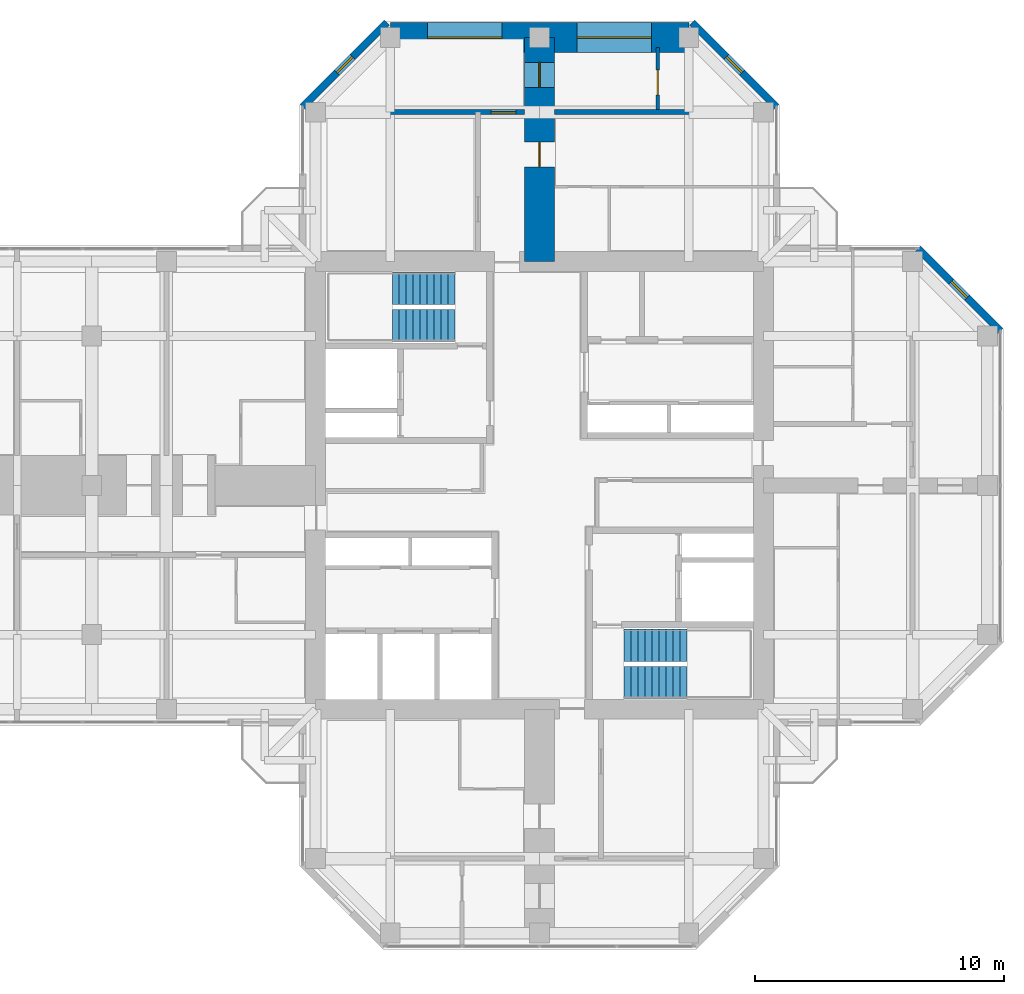
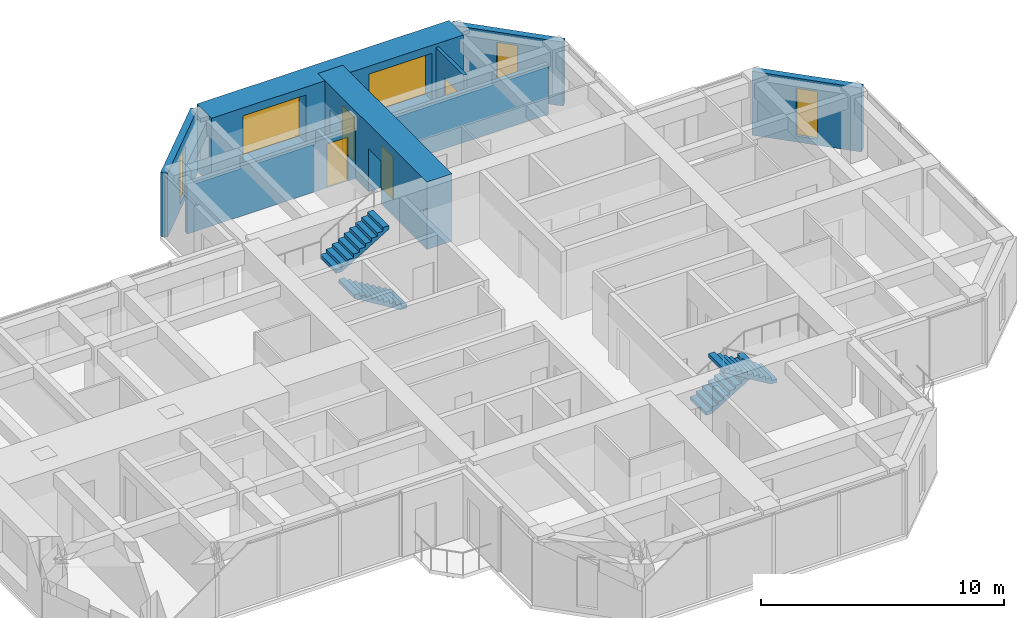
# One storey, part 12 of 13: 8 walls, 5 windows, 4 doors, 4 stair flights, 9 openings, 2 elements without a shape of their own.
"""IFC4 building model written with IfcOpenShell, lengths in metres."""

from ifc_helpers import new_model, si_unit, direction, frame, frame_2d, origin, place, context, subcontext, project, spatial, polyline, rectangle, hollow_rectangle, outline, extrude, material, layer, layer_set, constituent, constituent_set, type_object, element, fill, aggregate, save


model = new_model("IFC4")

# Units and contexts
model_context = context("Model", 3, precision=1e-05, world=origin(), true_north=direction((0.0, 1.0)))
body_context = subcontext(model_context, "Body", "Model", "MODEL_VIEW")
ifc_project = project(units=[si_unit("LENGTHUNIT", "METRE"), si_unit("AREAUNIT", "SQUARE_METRE"), si_unit("VOLUMEUNIT", "CUBIC_METRE"), si_unit("PLANEANGLEUNIT", "RADIAN"), si_unit("MASSUNIT", "GRAM", prefix="KILO")], contexts=[model_context])

# Site, building, storey
site_placement = place(None, origin())
site = spatial("IfcSite", under=ifc_project, at=site_placement, CompositionType="ELEMENT")
building_placement = place(site_placement, origin())
building = spatial("IfcBuilding", under=site, at=building_placement, Name="Torre Cruceta", CompositionType="ELEMENT")
storey_placement = place(building_placement, frame((0.0, 0.0, 242.5)))
storey = spatial("IfcBuildingStorey", under=building, at=storey_placement, Name="L62", CompositionType="ELEMENT", Elevation=242.5)

# Wall, opening, window
ifc_material_1 = material(Name="Concrete G30 (fck 30 MPa)", Category="concrete")
ifc_layer_1 = layer(ifc_material_1, 0.300048828125)
ifc_layer_set_1 = layer_set([ifc_layer_1], Name="Concrete G30 (fck 30 MPa)")
wall_type_1 = type_object("IfcWallType", Name="EXPOSED CONCRETE FACADE WALL 300", PredefinedType="SOLIDWALL", material=ifc_layer_set_1)
wall_1_placement = place(storey_placement, frame((18.52001953125, 6.21533203125, 0.0), z_axis=(0.0, 0.0, 1.0), x_axis=(-0.707106781187, 0.707106781187, 0.0)))
wall_1 = element("IfcWall", 1, at=wall_1_placement, inside=storey, type_object=wall_type_1, Name="EW1 facade wall L62 E chamfer 03", PredefinedType="SOLIDWALL", context=body_context, shape_type="SweptSolid", body=[
    extrude(rectangle(XDim=4.673583984375, YDim=0.300048828125, at=frame_2d((2.3369140625, 0.0))), origin(), (0.0, 0.0, 1.0), 3.219970703125),
])
opening_1_placement = place(wall_1_placement, frame((1.88671875, 0.0, 0.300048828125)))
opening_1 = element("IfcOpeningElement", 2, at=opening_1_placement, cuts=wall_1, Name="Opening WN5", PredefinedType="OPENING", context=body_context, shape_type="SweptSolid", body=[
    extrude(rectangle(XDim=0.89990234375, YDim=2.39990234375, at=frame_2d((0.449951171875, 1.199951171875))), frame((0.0, 0.159912109375, 0.0), z_axis=(0.0, -1.0, 0.0), x_axis=(1.0, 0.0, 0.0)), (0.0, 0.0, 1.0), 0.320068359375),
])
ifc_material_2 = material(Name="Aluminium window frame", Category="aluminium")
ifc_constituent_1 = constituent(ifc_material_2, Name="Frame")
ifc_material_3 = material(Name="Laminated insulating glass unit, low-iron clear", Category="glass")
ifc_constituent_2 = constituent(ifc_material_3, Name="Glazing")
ifc_constituent_set_1 = constituent_set(constituents=[ifc_constituent_1, ifc_constituent_2], Name="Aluminium window")
window_type_1 = type_object("IfcWindowType", Name="CHAMFER SLOT WINDOW 900X2400", PartitioningType="SINGLE_PANEL", PredefinedType="WINDOW", material=ifc_constituent_set_1)
window_1_placement = place(opening_1_placement, origin())
window_1 = element("IfcWindow", 3, at=window_1_placement, inside=storey, type_object=window_type_1, Name="WN5 L62 E 1", OverallHeight=2.39990234375, OverallWidth=0.89990234375, PartitioningType="SINGLE_PANEL", PredefinedType="WINDOW", context=body_context, shape_type="SweptSolid", body=[
    extrude(hollow_rectangle(XDim=0.89990234375, YDim=2.39990234375, WallThickness=0.06005859375, at=frame_2d((0.449951171875, 1.199951171875))), frame((0.0, 0.030029296875, 0.0), z_axis=(0.0, -1.0, 0.0), x_axis=(1.0, 0.0, 0.0)), (0.0, 0.0, 1.0), 0.06005859375),
    extrude(rectangle(XDim=0.77880859375, YDim=2.27880859375, at=frame_2d((0.449951171875, 1.199951171875))), frame((0.0, 0.030029296875, 0.0), z_axis=(0.0, -1.0, 0.0), x_axis=(1.0, 0.0, 0.0)), (0.0, 0.0, 1.0), 0.06005859375),
])
fill(opening_1, window_1)

wall_2_placement = place(storey_placement, frame((9.52001953125, 15.21533203125, 0.0), z_axis=(0.0, 0.0, 1.0), x_axis=(-0.707081278264, 0.707132283189, 0.0)))
wall_2 = element("IfcWall", 4, at=wall_2_placement, inside=storey, type_object=wall_type_1, Name="EW1 facade wall L62 N chamfer 06", PredefinedType="SOLIDWALL", context=body_context, shape_type="SweptSolid", body=[
    extrude(rectangle(XDim=4.78662109375, YDim=0.300048828125, at=frame_2d((2.393310546875, 0.0))), origin(), (0.0, 0.0, 1.0), 3.219970703125),
])
opening_2_placement = place(wall_2_placement, frame((1.943359375, 0.0, 0.300048828125)))
opening_2 = element("IfcOpeningElement", 5, at=opening_2_placement, cuts=wall_2, Name="Opening WN5", PredefinedType="OPENING", context=body_context, shape_type="SweptSolid", body=[
    extrude(rectangle(XDim=0.89990234375, YDim=2.39990234375, at=frame_2d((0.449951171875, 1.199951171875))), frame((0.0, 0.159912109375, 0.0), z_axis=(0.0, -1.0, 0.0), x_axis=(1.0, 0.0, 0.0)), (0.0, 0.0, 1.0), 0.320068359375),
])
window_2_placement = place(opening_2_placement, origin())
window_2 = element("IfcWindow", 6, at=window_2_placement, inside=storey, type_object=window_type_1, Name="WN5 L62 N 1", OverallHeight=2.39990234375, OverallWidth=0.89990234375, PartitioningType="SINGLE_PANEL", PredefinedType="WINDOW", context=body_context, shape_type="SweptSolid", body=[
    extrude(hollow_rectangle(XDim=0.89990234375, YDim=2.39990234375, WallThickness=0.06005859375, at=frame_2d((0.449951171875, 1.199951171875))), frame((0.0, 0.030029296875, 0.0), z_axis=(0.0, -1.0, 0.0), x_axis=(1.0, 0.0, 0.0)), (0.0, 0.0, 1.0), 0.06005859375),
    extrude(rectangle(XDim=0.77880859375, YDim=2.27880859375, at=frame_2d((0.449951171875, 1.199951171875))), frame((0.0, 0.030029296875, 0.0), z_axis=(0.0, -1.0, 0.0), x_axis=(1.0, 0.0, 0.0)), (0.0, 0.0, 1.0), 0.06005859375),
])
fill(opening_2, window_2)

wall_3_placement = place(storey_placement, frame((-6.135498046875, 18.60009765625, 0.0), z_axis=(0.0, 0.0, 1.0), x_axis=(-0.707081278264, -0.707132283189, 0.0)))
wall_3 = element("IfcWall", 7, at=wall_3_placement, inside=storey, type_object=wall_type_1, Name="EW1 facade wall L62 N chamfer 08", PredefinedType="SOLIDWALL", context=body_context, shape_type="SweptSolid", body=[
    extrude(rectangle(XDim=4.78662109375, YDim=0.300048828125, at=frame_2d((2.393310546875, 0.0))), origin(), (0.0, 0.0, 1.0), 3.219970703125),
])
opening_3_placement = place(wall_3_placement, frame((1.943359375, 0.0, 0.300048828125)))
opening_3 = element("IfcOpeningElement", 8, at=opening_3_placement, cuts=wall_3, Name="Opening WN5", PredefinedType="OPENING", context=body_context, shape_type="SweptSolid", body=[
    extrude(rectangle(XDim=0.89990234375, YDim=2.39990234375, at=frame_2d((0.449951171875, 1.199951171875))), frame((0.0, 0.159912109375, 0.0), z_axis=(0.0, -1.0, 0.0), x_axis=(1.0, 0.0, 0.0)), (0.0, 0.0, 1.0), 0.320068359375),
])
window_3_placement = place(opening_3_placement, origin())
window_3 = element("IfcWindow", 9, at=window_3_placement, inside=storey, type_object=window_type_1, Name="WN5 L62 N 1", OverallHeight=2.39990234375, OverallWidth=0.89990234375, PartitioningType="SINGLE_PANEL", PredefinedType="WINDOW", context=body_context, shape_type="SweptSolid", body=[
    extrude(hollow_rectangle(XDim=0.89990234375, YDim=2.39990234375, WallThickness=0.06005859375, at=frame_2d((0.449951171875, 1.199951171875))), frame((0.0, 0.030029296875, 0.0), z_axis=(0.0, -1.0, 0.0), x_axis=(1.0, 0.0, 0.0)), (0.0, 0.0, 1.0), 0.06005859375),
    extrude(rectangle(XDim=0.77880859375, YDim=2.27880859375, at=frame_2d((0.449951171875, 1.199951171875))), frame((0.0, 0.030029296875, 0.0), z_axis=(0.0, -1.0, 0.0), x_axis=(1.0, 0.0, 0.0)), (0.0, 0.0, 1.0), 0.06005859375),
])
fill(opening_3, window_3)

# Wall, openings, windows
ifc_material_4 = material(Name="Concrete G60 (fck 60 MPa)", Category="concrete")
ifc_layer_2 = layer(ifc_material_4, 1.199951171875)
ifc_layer_set_2 = layer_set([ifc_layer_2], Name="Concrete G60 (fck 60 MPa)")
wall_type_2 = type_object("IfcWallType", Name="NOSE WALL 1200 G60", PredefinedType="SHEAR", material=ifc_layer_set_2)
wall_4_placement = place(storey_placement, frame((6.0, 18.0, 0.0), z_axis=(0.0, 0.0, 1.0), x_axis=(-1.0, 0.0, 0.0)))
wall_4 = element("IfcWall", 10, at=wall_4_placement, inside=storey, type_object=wall_type_2, Name="NW1 nose wall L62 N", PredefinedType="SHEAR", context=body_context, shape_type="SweptSolid", body=[
    extrude(rectangle(XDim=12.0, YDim=1.199951171875, at=frame_2d((6.0, 0.0))), origin(), (0.0, 0.0, 1.0), 3.39990234375),
])
opening_4_placement = place(wall_4_placement, frame((1.5, 0.0, 0.60009765625)))
opening_4 = element("IfcOpeningElement", 11, at=opening_4_placement, cuts=wall_4, Name="Opening WN6", PredefinedType="OPENING", context=body_context, shape_type="SweptSolid", body=[
    extrude(rectangle(XDim=3.0, YDim=2.39990234375, at=frame_2d((1.5, 1.199951171875))), frame((0.0, 0.60986328125, 0.0), z_axis=(0.0, -1.0, 0.0), x_axis=(1.0, 0.0, 0.0)), (0.0, 0.0, 1.0), 1.219970703125),
])
opening_5_placement = place(wall_4_placement, frame((7.5, 0.0, 0.60009765625)))
opening_5 = element("IfcOpeningElement", 12, at=opening_5_placement, cuts=wall_4, Name="Opening WN6", PredefinedType="OPENING", context=body_context, shape_type="SweptSolid", body=[
    extrude(rectangle(XDim=3.0, YDim=2.39990234375, at=frame_2d((1.5, 1.199951171875))), frame((0.0, 0.60986328125, 0.0), z_axis=(0.0, -1.0, 0.0), x_axis=(1.0, 0.0, 0.0)), (0.0, 0.0, 1.0), 1.219970703125),
])
ifc_material_5 = material(Name="Aluminium window frame", Category="aluminium")
ifc_constituent_3 = constituent(ifc_material_5, Name="Frame")
ifc_material_6 = material(Name="Laminated insulating glass unit, low-iron clear", Category="glass")
ifc_constituent_4 = constituent(ifc_material_6, Name="Glazing")
ifc_constituent_set_2 = constituent_set(constituents=[ifc_constituent_3, ifc_constituent_4], Name="Aluminium window")
window_type_2 = type_object("IfcWindowType", Name="NOSE WALL WINDOW 3000X2400", PartitioningType="SINGLE_PANEL", PredefinedType="WINDOW", material=ifc_constituent_set_2)
window_4_placement = place(opening_4_placement, origin())
window_4 = element("IfcWindow", 13, at=window_4_placement, inside=storey, type_object=window_type_2, Name="WN6 L62 N 1", OverallHeight=2.39990234375, OverallWidth=3.0, PartitioningType="SINGLE_PANEL", PredefinedType="WINDOW", context=body_context, shape_type="SweptSolid", body=[
    extrude(hollow_rectangle(XDim=3.0, YDim=2.39990234375, WallThickness=0.06005859375, at=frame_2d((1.5, 1.199951171875))), frame((0.0, 0.030029296875, 0.0), z_axis=(0.0, -1.0, 0.0), x_axis=(1.0, 0.0, 0.0)), (0.0, 0.0, 1.0), 0.06005859375),
    extrude(rectangle(XDim=2.87890625, YDim=2.27880859375, at=frame_2d((1.5, 1.199951171875))), frame((0.0, 0.030029296875, 0.0), z_axis=(0.0, -1.0, 0.0), x_axis=(1.0, 0.0, 0.0)), (0.0, 0.0, 1.0), 0.06005859375),
])
fill(opening_4, window_4)
window_5_placement = place(opening_5_placement, origin())
window_5 = element("IfcWindow", 14, at=window_5_placement, inside=storey, type_object=window_type_2, Name="WN6 L62 N 2", OverallHeight=2.39990234375, OverallWidth=3.0, PartitioningType="SINGLE_PANEL", PredefinedType="WINDOW", context=body_context, shape_type="SweptSolid", body=[
    extrude(hollow_rectangle(XDim=3.0, YDim=2.39990234375, WallThickness=0.06005859375, at=frame_2d((1.5, 1.199951171875))), frame((0.0, 0.030029296875, 0.0), z_axis=(0.0, -1.0, 0.0), x_axis=(1.0, 0.0, 0.0)), (0.0, 0.0, 1.0), 0.06005859375),
    extrude(rectangle(XDim=2.87890625, YDim=2.27880859375, at=frame_2d((1.5, 1.199951171875))), frame((0.0, 0.030029296875, 0.0), z_axis=(0.0, -1.0, 0.0), x_axis=(1.0, 0.0, 0.0)), (0.0, 0.0, 1.0), 0.06005859375),
])
fill(opening_5, window_5)

# Wall, opening, door
ifc_material_7 = material(Name="Plasterboard on steel studs", Category="steel")
ifc_layer_3 = layer(ifc_material_7, 0.14990234375)
ifc_layer_set_3 = layer_set([ifc_layer_3], Name="Plasterboard on steel studs")
wall_type_3 = type_object("IfcWallType", Name="PARTITION 150", PredefinedType="PARTITIONING", material=ifc_layer_set_3)
wall_5_placement = place(storey_placement, frame((4.75, 15.10009765625, 0.0), z_axis=(0.0, 0.0, 1.0), x_axis=(0.0, 1.0, 0.0)))
wall_5 = element("IfcWall", 15, at=wall_5_placement, inside=storey, type_object=wall_type_3, Name="PT1 L62-N-END2X", PredefinedType="PARTITIONING", context=body_context, shape_type="SweptSolid", body=[
    extrude(rectangle(XDim=2.5, YDim=0.14990234375, at=frame_2d((1.25, 0.0))), origin(), (0.0, 0.0, 1.0), 3.219970703125),
])
opening_6_placement = place(wall_5_placement, frame((0.60009765625, 0.0, 0.0)))
opening_6 = element("IfcOpeningElement", 16, at=opening_6_placement, cuts=wall_5, Name="Opening D3", PredefinedType="OPENING", context=body_context, shape_type="SweptSolid", body=[
    extrude(rectangle(XDim=1.0, YDim=2.10009765625, at=frame_2d((0.5, 1.050048828125))), frame((0.0, 0.0849609375, 0.0), z_axis=(0.0, -1.0, 0.0), x_axis=(1.0, 0.0, 0.0)), (0.0, 0.0, 1.0), 0.169921875),
])
ifc_material_8 = material(Name="Steel DX51D", Category="steel")
ifc_constituent_5 = constituent(ifc_material_8, Name="Leaf and frame")
ifc_material_9 = material(Name="Polyester powder coating", Category="paint")
ifc_constituent_6 = constituent(ifc_material_9, Name="Finish")
ifc_constituent_set_3 = constituent_set(constituents=[ifc_constituent_5, ifc_constituent_6], Name="Steel fire door")
door_type_1 = type_object("IfcDoorType", Name="FIRE DOOR 1000X2100", OperationType="SINGLE_SWING_LEFT", PredefinedType="DOOR", material=ifc_constituent_set_3)
door_1_placement = place(opening_6_placement, frame((1.0, 0.0, 0.0), z_axis=(0.0, 0.0, 1.0), x_axis=(-1.0, 0.0, 0.0)))
door_1 = element("IfcDoor", 17, at=door_1_placement, inside=storey, type_object=door_type_1, Name="D3 L62-N-END2X-D1", OperationType="SINGLE_SWING_RIGHT", OverallHeight=2.10009765625, OverallWidth=1.0, PredefinedType="DOOR", context=body_context, shape_type="SweptSolid", body=[
    extrude(rectangle(XDim=1.0, YDim=2.10009765625, at=frame_2d((0.5, 1.050048828125))), frame((0.0, 0.025146484375, 0.0), z_axis=(0.0, -1.0, 0.0), x_axis=(1.0, 0.0, 0.0)), (0.0, 0.0, 1.0), 0.050048828125),
])
fill(opening_6, door_1)

# Wall, openings, doors
ifc_material_10 = material(Name="Concrete G60 (fck 60 MPa)", Category="concrete")
ifc_layer_4 = layer(ifc_material_10, 1.199951171875)
ifc_layer_set_4 = layer_set([ifc_layer_4], Name="Concrete G60 (fck 60 MPa)")
wall_type_4 = type_object("IfcWallType", Name="SPINE WALL 1200 G60", PredefinedType="SHEAR", material=ifc_layer_set_4)
wall_6_placement = place(storey_placement, frame((0.0, 9.0, 0.0), z_axis=(0.0, 0.0, 1.0), x_axis=(0.0, 1.0, 0.0)))
wall_6 = element("IfcWall", 18, at=wall_6_placement, inside=storey, type_object=wall_type_4, Name="SW3 spine wall L62 N", PredefinedType="SHEAR", context=body_context, shape_type="SweptSolid", body=[
    extrude(rectangle(XDim=9.0, YDim=1.199951171875, at=frame_2d((4.5, 0.0))), origin(), (0.0, 0.0, 1.0), 3.39990234375),
])
opening_7_placement = place(wall_6_placement, frame((3.800048828125, 0.0, 0.0)))
opening_7 = element("IfcOpeningElement", 19, at=opening_7_placement, cuts=wall_6, Name="Opening D6", PredefinedType="OPENING", context=body_context, shape_type="SweptSolid", body=[
    extrude(rectangle(XDim=1.0, YDim=2.14990234375, at=frame_2d((0.5, 1.074951171875))), frame((0.0, 0.60986328125, 0.0), z_axis=(0.0, -1.0, 0.0), x_axis=(1.0, 0.0, 0.0)), (0.0, 0.0, 1.0), 1.219970703125),
])
opening_8_placement = place(wall_6_placement, frame((7.0, 0.0, 0.0)))
opening_8 = element("IfcOpeningElement", 20, at=opening_8_placement, cuts=wall_6, Name="Opening D14", PredefinedType="OPENING", context=body_context, shape_type="SweptSolid", body=[
    extrude(rectangle(XDim=1.0, YDim=2.199951171875, at=frame_2d((0.5, 1.10009765625))), frame((0.0, 0.60986328125, 0.0), z_axis=(0.0, -1.0, 0.0), x_axis=(1.0, 0.0, 0.0)), (0.0, 0.0, 1.0), 1.219970703125),
])
ifc_material_11 = material(Name="Steel DX51D", Category="steel")
ifc_constituent_7 = constituent(ifc_material_11, Name="Leaf and frame")
ifc_material_12 = material(Name="Polyester powder coating", Category="paint")
ifc_constituent_8 = constituent(ifc_material_12, Name="Finish")
ifc_material_13 = material(Name="Fire-resisting glass", Category="glass")
ifc_constituent_9 = constituent(ifc_material_13, Name="Vision panel")
ifc_constituent_set_4 = constituent_set(constituents=[ifc_constituent_7, ifc_constituent_8, ifc_constituent_9], Name="Steel fire door with vision panel")
door_type_2 = type_object("IfcDoorType", Name="FIRE DOOR VISION PANEL 1000X2200", OperationType="SINGLE_SWING_RIGHT", PredefinedType="DOOR", material=ifc_constituent_set_4)
door_2_placement = place(opening_8_placement, frame((1.0, 0.0, 0.0), z_axis=(0.0, 0.0, 1.0), x_axis=(-1.0, 0.0, 0.0)))
door_2 = element("IfcDoor", 21, at=door_2_placement, inside=storey, type_object=door_type_2, Name="D14 L62-N-SP2", OperationType="SINGLE_SWING_LEFT", OverallHeight=2.199951171875, OverallWidth=1.0, PredefinedType="DOOR", context=body_context, shape_type="SweptSolid", body=[
    extrude(rectangle(XDim=1.0, YDim=2.199951171875, at=frame_2d((0.5, 1.10009765625))), frame((0.0, 0.025146484375, 0.0), z_axis=(0.0, -1.0, 0.0), x_axis=(1.0, 0.0, 0.0)), (0.0, 0.0, 1.0), 0.050048828125),
])
fill(opening_8, door_2)
ifc_material_14 = material(Name="Timber fire door", Category="wood")
door_type_3 = type_object("IfcDoorType", Name="UNIT ENTRANCE DOOR 1000X2150", OperationType="SINGLE_SWING_LEFT", PredefinedType="DOOR", material=ifc_material_14)
door_3_placement = place(opening_7_placement, frame((1.0, 0.0, 0.0), z_axis=(0.0, 0.0, 1.0), x_axis=(-1.0, 0.0, 0.0)))
door_3 = element("IfcDoor", 22, at=door_3_placement, inside=storey, type_object=door_type_3, Name="D6 L62-N-SP1", OperationType="SINGLE_SWING_RIGHT", OverallHeight=2.14990234375, OverallWidth=1.0, PredefinedType="DOOR", context=body_context, shape_type="SweptSolid", body=[
    extrude(rectangle(XDim=1.0, YDim=2.14990234375, at=frame_2d((0.5, 1.074951171875))), frame((0.0, 0.025146484375, 0.0), z_axis=(0.0, -1.0, 0.0), x_axis=(1.0, 0.0, 0.0)), (0.0, 0.0, 1.0), 0.050048828125),
])
fill(opening_7, door_3)

# Wall
ifc_material_15 = material(Name="Concrete G25 (fck 25 MPa)", Category="concrete")
ifc_layer_5 = layer(ifc_material_15, 0.199951171875)
ifc_layer_set_5 = layer_set([ifc_layer_5], Name="Concrete G25 (fck 25 MPa)")
wall_type_5 = type_object("IfcWallType", Name="UNIT SEPARATING WALL 200", PredefinedType="SOLIDWALL", material=ifc_layer_set_5)
wall_7_placement = place(storey_placement, frame((8.60009765625, 15.0, 0.0), z_axis=(0.0, 0.0, 1.0), x_axis=(-1.0, 0.0, 0.0)))
element("IfcWall", 23, at=wall_7_placement, inside=storey, type_object=wall_type_5, Name="PT2 L62-N-ENDa", PredefinedType="SOLIDWALL", context=body_context, shape_type="SweptSolid", body=[
    extrude(rectangle(XDim=8.0, YDim=0.199951171875, at=frame_2d((4.0, 0.0))), origin(), (0.0, 0.0, 1.0), 2.52001953125),
])

# Wall, opening, door
wall_8_placement = place(storey_placement, frame((-0.60009765625, 15.0, 0.0), z_axis=(0.0, 0.0, 1.0), x_axis=(-1.0, 0.0, 0.0)))
wall_8 = element("IfcWall", 24, at=wall_8_placement, inside=storey, type_object=wall_type_5, Name="PT2 L62-N-ENDb", PredefinedType="SOLIDWALL", context=body_context, shape_type="SweptSolid", body=[
    extrude(rectangle(XDim=8.0, YDim=0.199951171875, at=frame_2d((4.0, 0.0))), origin(), (0.0, 0.0, 1.0), 2.52001953125),
])
opening_9_placement = place(wall_8_placement, frame((0.35009765625, 0.0, 0.0)))
opening_9 = element("IfcOpeningElement", 25, at=opening_9_placement, cuts=wall_8, Name="Opening D14", PredefinedType="OPENING", context=body_context, shape_type="SweptSolid", body=[
    extrude(rectangle(XDim=1.0, YDim=2.199951171875, at=frame_2d((0.5, 1.10009765625))), frame((0.0, 0.10986328125, 0.0), z_axis=(0.0, -1.0, 0.0), x_axis=(1.0, 0.0, 0.0)), (0.0, 0.0, 1.0), 0.219970703125),
])
door_4_placement = place(opening_9_placement, frame((1.0, 0.0, 0.0), z_axis=(0.0, 0.0, 1.0), x_axis=(-1.0, 0.0, 0.0)))
door_4 = element("IfcDoor", 26, at=door_4_placement, inside=storey, type_object=door_type_2, Name="D14 L62-N-ENDb-D1", OperationType="SINGLE_SWING_RIGHT", OverallHeight=2.199951171875, OverallWidth=1.0, PredefinedType="DOOR", context=body_context, shape_type="SweptSolid", body=[
    extrude(rectangle(XDim=1.0, YDim=2.199951171875, at=frame_2d((0.5, 1.10009765625))), frame((0.0, 0.025146484375, 0.0), z_axis=(0.0, -1.0, 0.0), x_axis=(1.0, 0.0, 0.0)), (0.0, 0.0, 1.0), 0.050048828125),
])
fill(opening_9, door_4)

# Stair, stair flights
ifc_material_16 = material(Name="Concrete G30 (fck 30 MPa)", Category="concrete")
stair_type = type_object("IfcStairType", Name="STAIR HALF-TURN 1300", PredefinedType="HALF_TURN_STAIR", material=ifc_material_16)
stair_1_placement = place(storey_placement, origin())
stair_1 = element("IfcStair", 27, at=stair_1_placement, inside=storey, type_object=stair_type, Name="Stair ST1 L62", PredefinedType="HALF_TURN_STAIR")
ifc_material_17 = material(Name="Concrete G30 (fck 30 MPa)", Category="concrete")
stair_flight_type = type_object("IfcStairFlightType", Name="STAIR FLIGHT 1300", PredefinedType="STRAIGHT", material=ifc_material_17)
stair_flight_1_placement = place(storey_placement, frame((-3.39990234375, 6.425048828125, 0.0), z_axis=(0.0, 0.0, 1.0), x_axis=(-1.0, 0.0, 0.0)))
stair_flight_1 = element("IfcStairFlight", 28, at=stair_flight_1_placement, type_object=stair_flight_type, Name="ST1 flight 1", NumberOfRisers=10, NumberOfTreads=9, PredefinedType="STRAIGHT", RiserHeight=0.17, TreadLength=0.28, context=body_context, shape_type="SweptSolid", body=[
    extrude(outline(polyline([(0.0, 0.0), (0.0, 0.169921875), (0.280029296875, 0.169921875), (0.280029296875, 0.340087890625), (0.56005859375, 0.340087890625), (0.56005859375, 0.510009765625), (0.840087890625, 0.510009765625), (0.840087890625, 0.679931640625), (1.1201171875, 0.679931640625), (1.1201171875, 0.85009765625), (1.39990234375, 0.85009765625), (1.39990234375, 1.02001953125), (1.679931640625, 1.02001953125), (1.679931640625, 1.18994140625), (1.9599609375, 1.18994140625), (1.9599609375, 1.360107421875), (2.239990234375, 1.360107421875), (2.239990234375, 1.530029296875), (2.52001953125, 1.530029296875), (2.52001953125, 1.699951171875), (2.52001953125, 1.354736328125), (0.288818359375, 0.0), (0.0, 0.0)])), frame((0.0, 0.64990234375, 0.0), z_axis=(0.0, -1.0, 0.0), x_axis=(1.0, 0.0, 0.0)), (0.0, 0.0, 1.0), 1.300048828125),
])
stair_flight_2_placement = place(storey_placement, frame((-5.919921875, 7.925048828125, 1.699951171875), z_axis=(0.0, 0.0, 1.0), x_axis=(1.0, 0.0, 0.0)))
stair_flight_2 = element("IfcStairFlight", 29, at=stair_flight_2_placement, type_object=stair_flight_type, Name="ST1 flight 2", NumberOfRisers=10, NumberOfTreads=9, PredefinedType="STRAIGHT", RiserHeight=0.17, TreadLength=0.28, context=body_context, shape_type="SweptSolid", body=[
    extrude(outline(polyline([(0.0, 0.0), (0.0, 0.169921875), (0.280029296875, 0.169921875), (0.280029296875, 0.340087890625), (0.56005859375, 0.340087890625), (0.56005859375, 0.510009765625), (0.840087890625, 0.510009765625), (0.840087890625, 0.679931640625), (1.1201171875, 0.679931640625), (1.1201171875, 0.85009765625), (1.39990234375, 0.85009765625), (1.39990234375, 1.02001953125), (1.679931640625, 1.02001953125), (1.679931640625, 1.18994140625), (1.9599609375, 1.18994140625), (1.9599609375, 1.360107421875), (2.239990234375, 1.360107421875), (2.239990234375, 1.530029296875), (2.52001953125, 1.530029296875), (2.52001953125, 1.699951171875), (2.52001953125, 1.354736328125), (0.288818359375, 0.0), (0.0, 0.0)])), frame((0.0, 0.64990234375, 0.0), z_axis=(0.0, -1.0, 0.0), x_axis=(1.0, 0.0, 0.0)), (0.0, 0.0, 1.0), 1.300048828125),
])
aggregate(stair_1, [stair_flight_1, stair_flight_2])

stair_2_placement = place(storey_placement, origin())
stair_2 = element("IfcStair", 30, at=stair_2_placement, inside=storey, type_object=stair_type, Name="Stair ST2 L62", PredefinedType="HALF_TURN_STAIR")
stair_flight_3_placement = place(storey_placement, frame((3.39990234375, -6.425048828125, 0.0), z_axis=(0.0, 0.0, 1.0), x_axis=(1.0, 0.0, 0.0)))
stair_flight_3 = element("IfcStairFlight", 31, at=stair_flight_3_placement, type_object=stair_flight_type, Name="ST2 flight 1", NumberOfRisers=10, NumberOfTreads=9, PredefinedType="STRAIGHT", RiserHeight=0.17, TreadLength=0.28, context=body_context, shape_type="SweptSolid", body=[
    extrude(outline(polyline([(0.0, 0.0), (0.0, 0.169921875), (0.280029296875, 0.169921875), (0.280029296875, 0.340087890625), (0.56005859375, 0.340087890625), (0.56005859375, 0.510009765625), (0.840087890625, 0.510009765625), (0.840087890625, 0.679931640625), (1.1201171875, 0.679931640625), (1.1201171875, 0.85009765625), (1.39990234375, 0.85009765625), (1.39990234375, 1.02001953125), (1.679931640625, 1.02001953125), (1.679931640625, 1.18994140625), (1.9599609375, 1.18994140625), (1.9599609375, 1.360107421875), (2.239990234375, 1.360107421875), (2.239990234375, 1.530029296875), (2.52001953125, 1.530029296875), (2.52001953125, 1.699951171875), (2.52001953125, 1.354736328125), (0.288818359375, 0.0), (0.0, 0.0)])), frame((0.0, 0.64990234375, 0.0), z_axis=(0.0, -1.0, 0.0), x_axis=(1.0, 0.0, 0.0)), (0.0, 0.0, 1.0), 1.300048828125),
])
stair_flight_4_placement = place(storey_placement, frame((5.919921875, -7.925048828125, 1.699951171875), z_axis=(0.0, 0.0, 1.0), x_axis=(-1.0, 0.0, 0.0)))
stair_flight_4 = element("IfcStairFlight", 32, at=stair_flight_4_placement, type_object=stair_flight_type, Name="ST2 flight 2", NumberOfRisers=10, NumberOfTreads=9, PredefinedType="STRAIGHT", RiserHeight=0.17, TreadLength=0.28, context=body_context, shape_type="SweptSolid", body=[
    extrude(outline(polyline([(0.0, 0.0), (0.0, 0.169921875), (0.280029296875, 0.169921875), (0.280029296875, 0.340087890625), (0.56005859375, 0.340087890625), (0.56005859375, 0.510009765625), (0.840087890625, 0.510009765625), (0.840087890625, 0.679931640625), (1.1201171875, 0.679931640625), (1.1201171875, 0.85009765625), (1.39990234375, 0.85009765625), (1.39990234375, 1.02001953125), (1.679931640625, 1.02001953125), (1.679931640625, 1.18994140625), (1.9599609375, 1.18994140625), (1.9599609375, 1.360107421875), (2.239990234375, 1.360107421875), (2.239990234375, 1.530029296875), (2.52001953125, 1.530029296875), (2.52001953125, 1.699951171875), (2.52001953125, 1.354736328125), (0.288818359375, 0.0), (0.0, 0.0)])), frame((0.0, 0.64990234375, 0.0), z_axis=(0.0, -1.0, 0.0), x_axis=(1.0, 0.0, 0.0)), (0.0, 0.0, 1.0), 1.300048828125),
])
aggregate(stair_2, [stair_flight_3, stair_flight_4])

save(model, "model.ifc")
